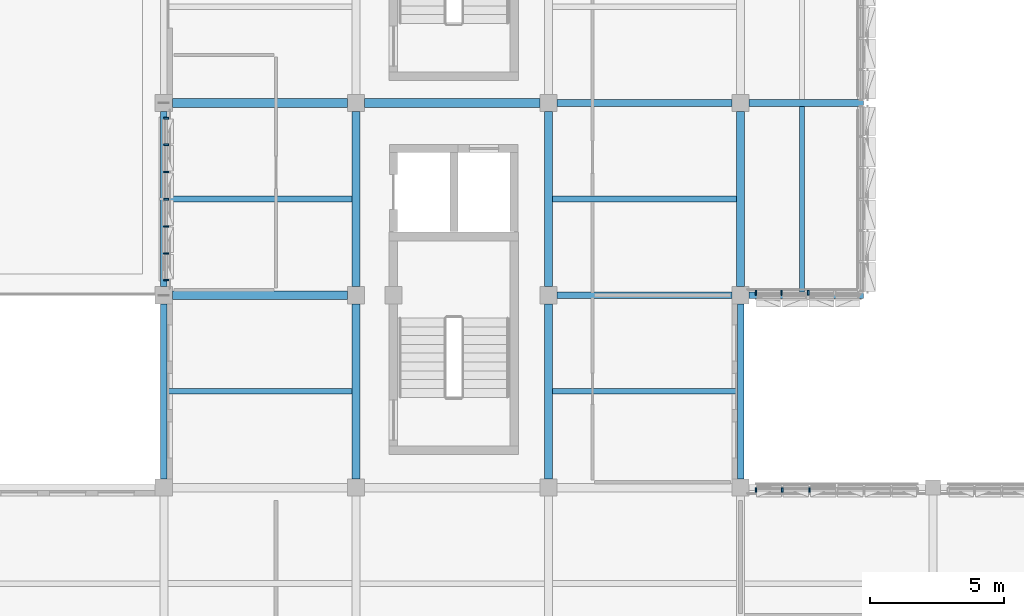
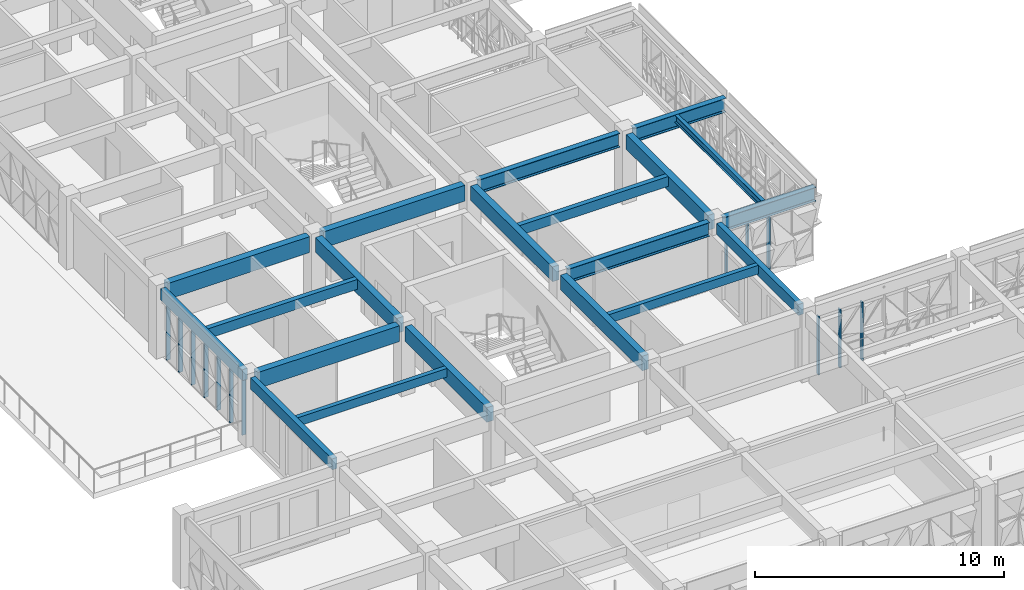
# One storey, part 3 of 85: 20 beams, 13 members, 3 elements without a shape of their own.
"""IFC4 building model written with IfcOpenShell, lengths in metres."""

from ifc_helpers import new_model, si_unit, direction, frame, origin, origin_2d, place, context, subcontext, project, spatial, rectangle, i_section, extrude, material, material_profile, profile_set, type_object, element, aggregate, save


model = new_model("IFC4")

# Units and contexts
model_context = context("Model", 3, precision=1e-05, world=origin(), true_north=direction((0.0, 1.0)))
body_context = subcontext(model_context, "Body", "Model", "MODEL_VIEW")
ifc_project = project(units=[si_unit("LENGTHUNIT", "METRE"), si_unit("AREAUNIT", "SQUARE_METRE"), si_unit("VOLUMEUNIT", "CUBIC_METRE"), si_unit("PLANEANGLEUNIT", "RADIAN"), si_unit("MASSUNIT", "GRAM", prefix="KILO")], contexts=[model_context])

# Site, building, storey
site_placement = place(None, origin())
site = spatial("IfcSite", under=ifc_project, at=site_placement, CompositionType="ELEMENT")
building_placement = place(site_placement, origin())
building = spatial("IfcBuilding", under=site, at=building_placement, Name="Alvorim Cloister Faculty of Sciences", CompositionType="ELEMENT")
storey_placement = place(building_placement, frame((0.0, 0.0, 8.550048828125)))
storey = spatial("IfcBuildingStorey", under=building, at=storey_placement, Name="L02", CompositionType="ELEMENT", Elevation=8.550048828125)

# Beams
ifc_material_1 = material(Name="Glulam GL32h", Category="wood")
ifc_material_profile_1 = material_profile(ifc_material_1, rectangle(XDim=0.300048828125, YDim=0.719970703125, at=origin_2d()), Name="GL32-BM-300x720")
ifc_profile_set_1 = profile_set([ifc_material_profile_1], Name="Glulam GL32h")
beam_type_1 = type_object("IfcBeamType", Name="BM-GL-300x720", PredefinedType="BEAM", material=ifc_profile_set_1)
for number, where, z_axis, x_axis, name in (
    (1, (14.39990234375, 14.719970703125, 3.030029296875), (0.0, 1.0, 0.0), (-1.0, 0.0, 0.0), "L02 Primary Girder BM-1367"),
    (2, (14.39990234375, 21.919921875, 3.030029296875), (0.0, 1.0, 0.0), (-1.0, 0.0, 0.0), "L02 Primary Girder BM-1368"),
    (3, (21.60009765625, 14.719970703125, 3.030029296875), (0.0, 1.0, 0.0), (-1.0, 0.0, 0.0), "L02 Primary Girder BM-1383"),
    (4, (21.60009765625, 21.919921875, 3.030029296875), (0.0, 1.0, 0.0), (-1.0, 0.0, 0.0), "L02 Primary Girder BM-1384"),
    (5, (28.800048828125, 21.919921875, 3.030029296875), (0.0, 1.0, 0.0), (-1.0, 0.0, 0.0), "L02 Primary Girder BM-1400"),
):
    element("IfcBeam", number, at=place(storey_placement, frame(where, z_axis=z_axis, x_axis=x_axis)), inside=storey, type_object=beam_type_1, Name=name, PredefinedType="BEAM", context=body_context, shape_type="SweptSolid", body=[
        extrude(rectangle(XDim=0.300048828125, YDim=0.719970703125, at=origin_2d()), origin(), (0.0, 0.0, 1.0), 6.56005859375),
    ])
ifc_material_profile_2 = material_profile(ifc_material_1, rectangle(XDim=0.320068359375, YDim=0.780029296875, at=origin_2d()), Name="GL32-BM-320x780")
ifc_profile_set_2 = profile_set([ifc_material_profile_2], Name="Glulam GL32h")
beam_type_2 = type_object("IfcBeamType", Name="BM-GL-320x780", PredefinedType="BEAM", material=ifc_profile_set_2)
for number, where, z_axis, x_axis, name in (
    (6, (7.52001953125, 21.60009765625, 3.0), (1.0, 0.0, 0.0), (0.0, 1.0, 0.0), "L02 Primary Beam BM-1276"),
    (7, (7.52001953125, 28.800048828125, 3.0), (1.0, 0.0, 0.0), (0.0, 1.0, 0.0), "L02 Primary Beam BM-1279"),
    (8, (14.719970703125, 28.800048828125, 3.0), (1.0, 0.0, 0.0), (0.0, 1.0, 0.0), "L02 Primary Beam BM-1280"),
):
    element("IfcBeam", number, at=place(storey_placement, frame(where, z_axis=z_axis, x_axis=x_axis)), inside=storey, type_object=beam_type_2, Name=name, PredefinedType="BEAM", context=body_context, shape_type="SweptSolid", body=[
        extrude(rectangle(XDim=0.320068359375, YDim=0.780029296875, at=origin_2d()), origin(), (0.0, 0.0, 1.0), 6.56005859375),
    ])
ifc_material_2 = material(Name="Glulam GL28h", Category="wood")
ifc_material_profile_3 = material_profile(ifc_material_2, rectangle(XDim=0.199951171875, YDim=0.419921875, at=origin_2d()), Name="GL28-JST-200x420")
ifc_profile_set_3 = profile_set([ifc_material_profile_3], Name="Glulam GL28h")
beam_type_3 = type_object("IfcBeamType", Name="BM-JST-GL-200x420", PredefinedType="JOIST", material=ifc_profile_set_3)
for number, where, z_axis, x_axis, name in (
    (9, (7.320068359375, 18.0, 3.179931640625), (1.0, 0.0, 0.0), (0.0, 1.0, 0.0), "L02 Secondary Floor Joist BM-1449"),
    (10, (21.75, 18.0, 3.179931640625), (1.0, 0.0, 0.0), (0.0, 1.0, 0.0), "L02 Secondary Floor Joist BM-1473"),
):
    element("IfcBeam", number, at=place(storey_placement, frame(where, z_axis=z_axis, x_axis=x_axis)), inside=storey, type_object=beam_type_3, Name=name, PredefinedType="JOIST", context=body_context, shape_type="SweptSolid", body=[
        extrude(rectangle(XDim=0.199951171875, YDim=0.419921875, at=origin_2d()), origin(), (0.0, 0.0, 1.0), 6.929931640625),
    ])
ifc_material_profile_4 = material_profile(ifc_material_2, rectangle(XDim=0.219970703125, YDim=0.47998046875, at=origin_2d()), Name="GL28-JST-220x480")
ifc_profile_set_4 = profile_set([ifc_material_profile_4], Name="Glulam GL28h")
beam_type_4 = type_object("IfcBeamType", Name="BM-JST-GL-220x480", PredefinedType="JOIST", material=ifc_profile_set_4)
beam_1_placement = place(storey_placement, frame((7.320068359375, 25.199951171875, 3.14990234375), z_axis=(1.0, 0.0, 0.0), x_axis=(0.0, 1.0, 0.0)))
element("IfcBeam", 11, at=beam_1_placement, inside=storey, type_object=beam_type_4, Name="L02 Secondary Floor Joist BM-1450", PredefinedType="JOIST", context=body_context, shape_type="SweptSolid", body=[
    extrude(rectangle(XDim=0.219970703125, YDim=0.47998046875, at=origin_2d()), origin(), (0.0, 0.0, 1.0), 6.929931640625),
])
beam_2_placement = place(storey_placement, frame((21.75, 25.199951171875, 3.14990234375), z_axis=(1.0, 0.0, 0.0), x_axis=(0.0, 1.0, 0.0)))
element("IfcBeam", 12, at=beam_2_placement, inside=storey, type_object=beam_type_4, Name="L02 Secondary Floor Joist BM-1474", PredefinedType="JOIST", context=body_context, shape_type="SweptSolid", body=[
    extrude(rectangle(XDim=0.219970703125, YDim=0.47998046875, at=origin_2d()), origin(), (0.0, 0.0, 1.0), 6.89990234375),
])
ifc_material_profile_5 = material_profile(ifc_material_2, rectangle(XDim=0.239990234375, YDim=0.5400390625, at=origin_2d()), Name="GL28-SPD-240x540")
ifc_profile_set_5 = profile_set([ifc_material_profile_5], Name="Glulam GL28h")
beam_type_5 = type_object("IfcBeamType", Name="BM-SPD-GL-240x540", PredefinedType="SPANDREL", material=ifc_profile_set_5)
for number, where, z_axis, x_axis, name in (
    (13, (7.199951171875, 14.719970703125, 3.119873046875), (0.0, 1.0, 0.0), (-1.0, 0.0, 0.0), "L02 Primary Girder BM-1351"),
    (14, (7.199951171875, 21.919921875, 3.119873046875), (0.0, 1.0, 0.0), (-1.0, 0.0, 0.0), "L02 Primary Girder BM-1352"),
    (15, (28.800048828125, 14.719970703125, 3.119873046875), (0.0, 1.0, 0.0), (-1.0, 0.0, 0.0), "L02 Primary Girder BM-1399"),
):
    element("IfcBeam", number, at=place(storey_placement, frame(where, z_axis=z_axis, x_axis=x_axis)), inside=storey, type_object=beam_type_5, Name=name, PredefinedType="SPANDREL", context=body_context, shape_type="SweptSolid", body=[
        extrude(rectangle(XDim=0.239990234375, YDim=0.5400390625, at=origin_2d()), origin(), (0.0, 0.0, 1.0), 6.56005859375),
    ])
ifc_material_3 = material(Name="Steel ASTM A572 Grade 50", Category="steel")
ifc_material_profile_6 = material_profile(ifc_material_3, i_section(OverallWidth=0.1708984375, OverallDepth=0.35498046875, WebThickness=0.007080078125, FlangeThickness=0.01171875, FilletRadius=0.012939453125, at=origin_2d()), Name="W360x51.0")
ifc_profile_set_6 = profile_set([ifc_material_profile_6], Name="Steel ASTM A572 Grade 50")
beam_type_6 = type_object("IfcBeamType", Name="BM-STL-W360", PredefinedType="JOIST", material=ifc_profile_set_6)
beam_3_placement = place(storey_placement, frame((31.10009765625, 21.7099609375, 3.21240234375), z_axis=(0.0, 1.0, 0.0), x_axis=(-1.0, 0.0, 0.0)))
element("IfcBeam", 16, at=beam_3_placement, inside=storey, type_object=beam_type_6, Name="L02 Cantilever Deck Joist BM-0018", PredefinedType="JOIST", context=body_context, shape_type="SweptSolid", body=[
    extrude(i_section(OverallWidth=0.1708984375, OverallDepth=0.35498046875, WebThickness=0.007080078125, FlangeThickness=0.01171875, FilletRadius=0.012939453125, at=origin_2d()), origin(), (0.0, 0.0, 1.0), 6.97998046875),
])
ifc_material_profile_7 = material_profile(ifc_material_3, i_section(OverallWidth=0.25390625, OverallDepth=0.68408203125, WebThickness=0.012451171875, FlangeThickness=0.01904296875, FilletRadius=0.01904296875, at=origin_2d()), Name="W690x140.0")
ifc_profile_set_7 = profile_set([ifc_material_profile_7], Name="Steel ASTM A572 Grade 50")
beam_type_7 = type_object("IfcBeamType", Name="BM-STL-W690", PredefinedType="BEAM", material=ifc_profile_set_7)
beam_4_placement = place(storey_placement, frame((21.919921875, 21.60009765625, 3.0478515625), z_axis=(1.0, 0.0, 0.0), x_axis=(0.0, 1.0, 0.0)))
element("IfcBeam", 17, at=beam_4_placement, inside=storey, type_object=beam_type_7, Name="L02 Cantilever Backspan Girder BM-0011", PredefinedType="BEAM", context=body_context, shape_type="SweptSolid", body=[
    extrude(i_section(OverallWidth=0.25390625, OverallDepth=0.68408203125, WebThickness=0.012451171875, FlangeThickness=0.01904296875, FilletRadius=0.01904296875, at=origin_2d()), origin(), (0.0, 0.0, 1.0), 6.56005859375),
])
beam_5_placement = place(storey_placement, frame((29.1201171875, 21.60009765625, 3.0478515625), z_axis=(1.0, 0.0, 0.0), x_axis=(0.0, 1.0, 0.0)))
element("IfcBeam", 18, at=beam_5_placement, inside=storey, type_object=beam_type_7, Name="L02 Cantilever Overhang Girder BM-0012", PredefinedType="BEAM", context=body_context, shape_type="SweptSolid", body=[
    extrude(i_section(OverallWidth=0.25390625, OverallDepth=0.68408203125, WebThickness=0.012451171875, FlangeThickness=0.01904296875, FilletRadius=0.01904296875, at=origin_2d()), origin(), (0.0, 0.0, 1.0), 4.27978515625),
])
beam_6_placement = place(storey_placement, frame((21.919921875, 28.800048828125, 3.0478515625), z_axis=(1.0, 0.0, 0.0), x_axis=(0.0, 1.0, 0.0)))
element("IfcBeam", 19, at=beam_6_placement, inside=storey, type_object=beam_type_7, Name="L02 Cantilever Backspan Girder BM-0013", PredefinedType="BEAM", context=body_context, shape_type="SweptSolid", body=[
    extrude(i_section(OverallWidth=0.25390625, OverallDepth=0.68408203125, WebThickness=0.012451171875, FlangeThickness=0.01904296875, FilletRadius=0.01904296875, at=origin_2d()), origin(), (0.0, 0.0, 1.0), 6.56005859375),
])
beam_7_placement = place(storey_placement, frame((29.1201171875, 28.800048828125, 3.0478515625), z_axis=(1.0, 0.0, 0.0), x_axis=(0.0, 1.0, 0.0)))
element("IfcBeam", 20, at=beam_7_placement, inside=storey, type_object=beam_type_7, Name="L02 Cantilever Overhang Girder BM-0014", PredefinedType="BEAM", context=body_context, shape_type="SweptSolid", body=[
    extrude(i_section(OverallWidth=0.25390625, OverallDepth=0.68408203125, WebThickness=0.012451171875, FlangeThickness=0.01904296875, FilletRadius=0.01904296875, at=origin_2d()), origin(), (0.0, 0.0, 1.0), 4.27978515625),
])

# Curtain wall, members
ifc_material_4 = material(Name="Aluminium and Low-E Glass Curtain Wall", Category="aluminium")
curtain_wall_type_1 = type_object("IfcCurtainWallType", Name="CW-TRI-6120x2850", PredefinedType="USERDEFINED", material=ifc_material_4)
curtain_wall_1_placement = place(storey_placement, origin())
curtain_wall_1 = element("IfcCurtainWall", 21, at=curtain_wall_1_placement, inside=storey, type_object=curtain_wall_type_1, Name="L02 Diagonal Cassette Curtain Wall CW-0051", ObjectType="UNITISED CURTAIN WALL", PredefinedType="USERDEFINED")
ifc_material_5 = material(Name="Aluminium Alloy 6063-T6", Category="aluminium")
ifc_material_profile_8 = material_profile(ifc_material_5, rectangle(XDim=0.06494140625, YDim=0.179931640625, at=origin_2d()), Name="ALU-MUL-65x180")
ifc_profile_set_8 = profile_set([ifc_material_profile_8], Name="Aluminium Alloy 6063-T6")
member_type = type_object("IfcMemberType", Name="CW-MUL-65x180", PredefinedType="MULLION", material=ifc_profile_set_8)
member_1_placement = place(storey_placement, frame((7.2900390625, 22.172607421875, 0.0), z_axis=(0.0, 0.0, 1.0), x_axis=(0.0, 1.0, 0.0)))
member_1 = element("IfcMember", 22, at=member_1_placement, type_object=member_type, Name="CW-0051 Mullion 1", PredefinedType="MULLION", context=body_context, shape_type="SweptSolid", body=[
    extrude(rectangle(XDim=0.06494140625, YDim=0.179931640625, at=origin_2d()), origin(), (0.0, 0.0, 1.0), 2.849853515625),
])
member_2_placement = place(storey_placement, frame((7.2900390625, 23.159912109375, 0.0), z_axis=(0.0, 0.0, 1.0), x_axis=(0.0, 1.0, 0.0)))
member_2 = element("IfcMember", 23, at=member_2_placement, type_object=member_type, Name="CW-0051 Mullion 2", PredefinedType="MULLION", context=body_context, shape_type="SweptSolid", body=[
    extrude(rectangle(XDim=0.06494140625, YDim=0.179931640625, at=origin_2d()), origin(), (0.0, 0.0, 1.0), 2.849853515625),
])
member_3_placement = place(storey_placement, frame((7.2900390625, 24.179931640625, 0.0), z_axis=(0.0, 0.0, 1.0), x_axis=(0.0, 1.0, 0.0)))
member_3 = element("IfcMember", 24, at=member_3_placement, type_object=member_type, Name="CW-0051 Mullion 3", PredefinedType="MULLION", context=body_context, shape_type="SweptSolid", body=[
    extrude(rectangle(XDim=0.06494140625, YDim=0.179931640625, at=origin_2d()), origin(), (0.0, 0.0, 1.0), 2.849853515625),
])
member_4_placement = place(storey_placement, frame((7.2900390625, 25.199951171875, 0.0), z_axis=(0.0, 0.0, 1.0), x_axis=(0.0, 1.0, 0.0)))
member_4 = element("IfcMember", 25, at=member_4_placement, type_object=member_type, Name="CW-0051 Mullion 4", PredefinedType="MULLION", context=body_context, shape_type="SweptSolid", body=[
    extrude(rectangle(XDim=0.06494140625, YDim=0.179931640625, at=origin_2d()), origin(), (0.0, 0.0, 1.0), 2.849853515625),
])
member_5_placement = place(storey_placement, frame((7.2900390625, 26.219970703125, 0.0), z_axis=(0.0, 0.0, 1.0), x_axis=(0.0, 1.0, 0.0)))
member_5 = element("IfcMember", 26, at=member_5_placement, type_object=member_type, Name="CW-0051 Mullion 5", PredefinedType="MULLION", context=body_context, shape_type="SweptSolid", body=[
    extrude(rectangle(XDim=0.06494140625, YDim=0.179931640625, at=origin_2d()), origin(), (0.0, 0.0, 1.0), 2.849853515625),
])
member_6_placement = place(storey_placement, frame((7.2900390625, 27.239990234375, 0.0), z_axis=(0.0, 0.0, 1.0), x_axis=(0.0, 1.0, 0.0)))
member_6 = element("IfcMember", 27, at=member_6_placement, type_object=member_type, Name="CW-0051 Mullion 6", PredefinedType="MULLION", context=body_context, shape_type="SweptSolid", body=[
    extrude(rectangle(XDim=0.06494140625, YDim=0.179931640625, at=origin_2d()), origin(), (0.0, 0.0, 1.0), 2.849853515625),
])
member_7_placement = place(storey_placement, frame((7.2900390625, 28.2275390625, 0.0), z_axis=(0.0, 0.0, 1.0), x_axis=(0.0, 1.0, 0.0)))
member_7 = element("IfcMember", 28, at=member_7_placement, type_object=member_type, Name="CW-0051 Mullion 7", PredefinedType="MULLION", context=body_context, shape_type="SweptSolid", body=[
    extrude(rectangle(XDim=0.06494140625, YDim=0.179931640625, at=origin_2d()), origin(), (0.0, 0.0, 1.0), 2.849853515625),
])
aggregate(curtain_wall_1, [member_1, member_2, member_3, member_4, member_5, member_6, member_7])

curtain_wall_type_2 = type_object("IfcCurtainWallType", Name="CW-TRI-3980x2706", PredefinedType="USERDEFINED", material=ifc_material_4)
curtain_wall_2_placement = place(storey_placement, origin())
curtain_wall_2 = element("IfcCurtainWall", 29, at=curtain_wall_2_placement, inside=storey, type_object=curtain_wall_type_2, Name="L02 Diagonal Cassette Curtain Wall CW-0074", ObjectType="UNITISED CURTAIN WALL", PredefinedType="USERDEFINED")
member_8_placement = place(storey_placement, frame((29.37255859375, 21.68994140625, 0.0), z_axis=(0.0, 0.0, 1.0), x_axis=(1.0, 0.0, 0.0)))
member_8 = element("IfcMember", 30, at=member_8_placement, type_object=member_type, Name="CW-0074 Mullion 1", PredefinedType="MULLION", context=body_context, shape_type="SweptSolid", body=[
    extrude(rectangle(XDim=0.06494140625, YDim=0.179931640625, at=origin_2d()), origin(), (0.0, 0.0, 1.0), 2.7060546875),
])
member_9_placement = place(storey_placement, frame((30.3349609375, 21.68994140625, 0.0), z_axis=(0.0, 0.0, 1.0), x_axis=(1.0, 0.0, 0.0)))
member_9 = element("IfcMember", 31, at=member_9_placement, type_object=member_type, Name="CW-0074 Mullion 2", PredefinedType="MULLION", context=body_context, shape_type="SweptSolid", body=[
    extrude(rectangle(XDim=0.06494140625, YDim=0.179931640625, at=origin_2d()), origin(), (0.0, 0.0, 1.0), 2.7060546875),
])
member_10_placement = place(storey_placement, frame((31.330078125, 21.68994140625, 0.0), z_axis=(0.0, 0.0, 1.0), x_axis=(1.0, 0.0, 0.0)))
member_10 = element("IfcMember", 32, at=member_10_placement, type_object=member_type, Name="CW-0074 Mullion 3", PredefinedType="MULLION", context=body_context, shape_type="SweptSolid", body=[
    extrude(rectangle(XDim=0.06494140625, YDim=0.179931640625, at=origin_2d()), origin(), (0.0, 0.0, 1.0), 2.7060546875),
])
aggregate(curtain_wall_2, [member_8, member_9, member_10])

curtain_wall_3_placement = place(storey_placement, origin())
curtain_wall_3 = element("IfcCurtainWall", 33, at=curtain_wall_3_placement, inside=storey, type_object=curtain_wall_type_1, Name="L02 Diagonal Cassette Curtain Wall CW-0075", ObjectType="UNITISED CURTAIN WALL", PredefinedType="USERDEFINED")
member_11_placement = place(storey_placement, frame((29.37255859375, 14.31005859375, 0.0), z_axis=(0.0, 0.0, 1.0), x_axis=(1.0, 0.0, 0.0)))
member_11 = element("IfcMember", 34, at=member_11_placement, type_object=member_type, Name="CW-0075 Mullion 1", PredefinedType="MULLION", context=body_context, shape_type="SweptSolid", body=[
    extrude(rectangle(XDim=0.06494140625, YDim=0.179931640625, at=origin_2d()), origin(), (0.0, 0.0, 1.0), 2.849853515625),
])
member_12_placement = place(storey_placement, frame((30.360107421875, 14.31005859375, 0.0), z_axis=(0.0, 0.0, 1.0), x_axis=(1.0, 0.0, 0.0)))
member_12 = element("IfcMember", 35, at=member_12_placement, type_object=member_type, Name="CW-0075 Mullion 2", PredefinedType="MULLION", context=body_context, shape_type="SweptSolid", body=[
    extrude(rectangle(XDim=0.06494140625, YDim=0.179931640625, at=origin_2d()), origin(), (0.0, 0.0, 1.0), 2.849853515625),
])
member_13_placement = place(storey_placement, frame((31.3798828125, 14.31005859375, 0.0), z_axis=(0.0, 0.0, 1.0), x_axis=(1.0, 0.0, 0.0)))
member_13 = element("IfcMember", 36, at=member_13_placement, type_object=member_type, Name="CW-0075 Mullion 3", PredefinedType="MULLION", context=body_context, shape_type="SweptSolid", body=[
    extrude(rectangle(XDim=0.06494140625, YDim=0.179931640625, at=origin_2d()), origin(), (0.0, 0.0, 1.0), 2.849853515625),
])
aggregate(curtain_wall_3, [member_11, member_12, member_13])

save(model, "model.ifc")
